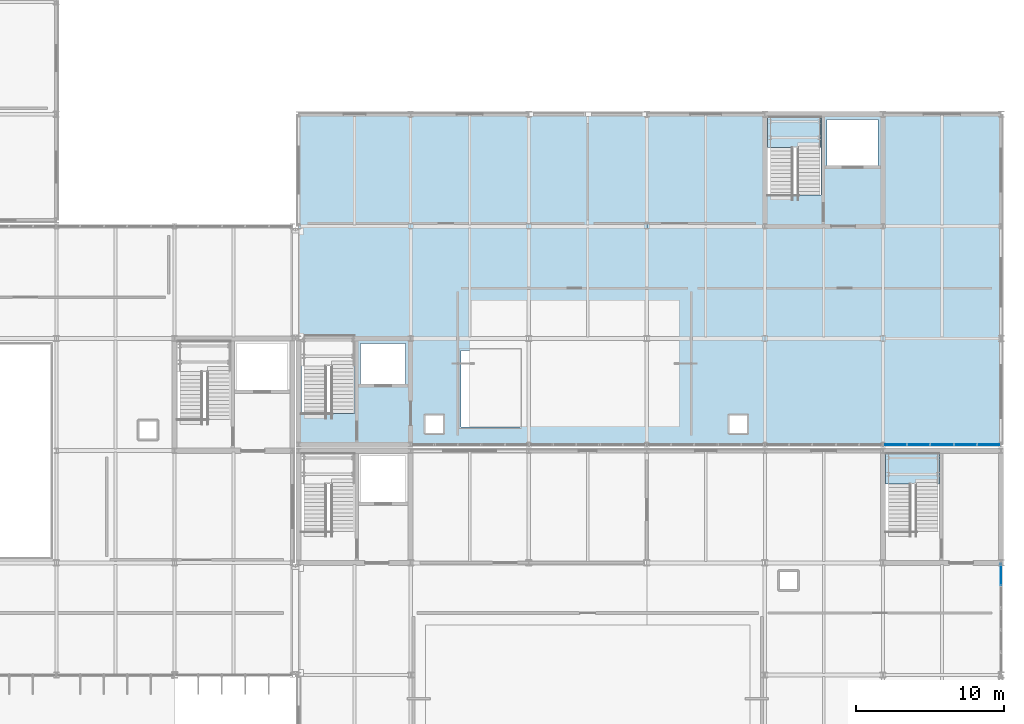
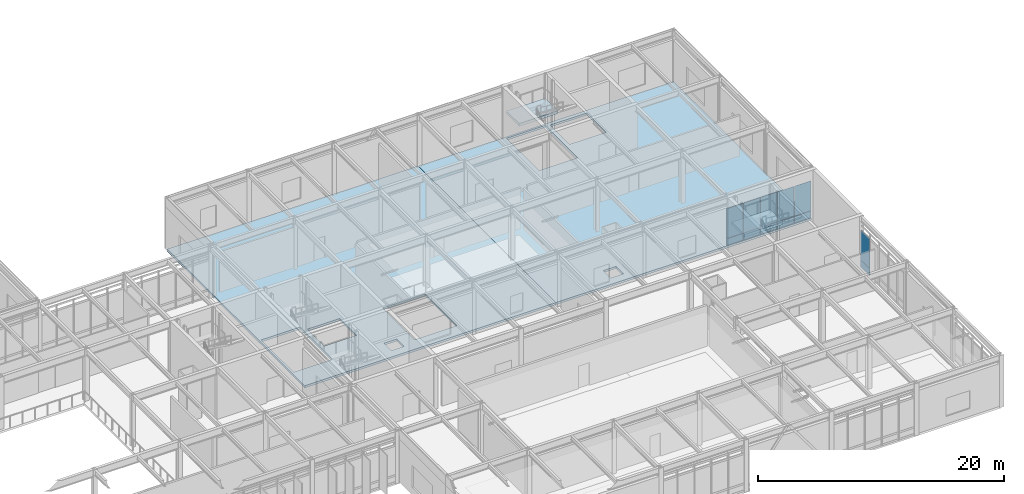
# One storey, part 67 of 94: 12 plates, 4 slabs, 4 elements without a shape of their own.
"""IFC4 building model written with IfcOpenShell, lengths in metres."""

from ifc_helpers import new_model, si_unit, direction, frame, origin, origin_2d, place, context, subcontext, project, spatial, polyline, rectangle, outline, extrude, material, layer, layer_set, type_object, element, aggregate, save


model = new_model("IFC4")

# Units and contexts
model_context = context("Model", 3, precision=1e-05, world=origin(), true_north=direction((0.0, 1.0)))
body_context = subcontext(model_context, "Body", "Model", "MODEL_VIEW")
ifc_project = project(units=[si_unit("LENGTHUNIT", "METRE"), si_unit("AREAUNIT", "SQUARE_METRE"), si_unit("VOLUMEUNIT", "CUBIC_METRE"), si_unit("PLANEANGLEUNIT", "RADIAN"), si_unit("MASSUNIT", "GRAM", prefix="KILO")], contexts=[model_context])

# Site, building, storey
site_placement = place(None, origin())
site = spatial("IfcSite", under=ifc_project, at=site_placement, CompositionType="ELEMENT")
building_placement = place(site_placement, origin())
building = spatial("IfcBuilding", under=site, at=building_placement, Name="Zulena Civic Courthouse", CompositionType="ELEMENT")
storey_placement = place(building_placement, frame((0.0, 0.0, 5.39990234375)))
storey = spatial("IfcBuildingStorey", under=building, at=storey_placement, Name="L01", CompositionType="ELEMENT", Elevation=5.39990234375)

# Curtain wall, plate
ifc_material_1 = material(Name="Double-silver low-E laminated solar-control glass", Category="glass")
curtain_wall_type_1 = type_object("IfcCurtainWallType", Name="CW_7552x4280", PredefinedType="USERDEFINED", material=ifc_material_1)
curtain_wall_1_placement = place(storey_placement, origin())
curtain_wall_1 = element("IfcCurtainWall", 1, at=curtain_wall_1_placement, inside=storey, type_object=curtain_wall_type_1, Name="cw:V1:L01:2:1", ObjectType="UNITISED CURTAIN WALL", PredefinedType="USERDEFINED")
ifc_material_2 = material(Name="Ceramic-fritted insulated spandrel glass", Category="glass")
ifc_layer_1 = layer(ifc_material_2, 0.0458984375)
ifc_layer_set_1 = layer_set([ifc_layer_1], Name="Ceramic-fritted insulated spandrel glass")
plate_type_1 = type_object("IfcPlateType", Name="CWPanel_Spandrel_46", PredefinedType="CURTAIN_PANEL", material=ifc_layer_set_1)
plate_1_placement = place(storey_placement, frame((172.0, 22.020751953125, 0.070068359375), z_axis=(0.0, 0.0, 1.0), x_axis=(0.0, -1.0, 0.0)))
plate_1 = element("IfcPlate", 2, at=plate_1_placement, type_object=plate_type_1, Name="cw:V1:L01:2:1:panS:0", PredefinedType="CURTAIN_PANEL", context=body_context, shape_type="SweptSolid", body=[
    extrude(rectangle(XDim=1.4599609375, YDim=0.0458984375, at=origin_2d()), origin(), (0.0, 0.0, 1.0), 0.669921875),
])

# Curtain wall, plates
curtain_wall_type_2 = type_object("IfcCurtainWallType", Name="CW_7952x4280", PredefinedType="USERDEFINED", material=ifc_material_1)
curtain_wall_2_placement = place(storey_placement, origin())
curtain_wall_2 = element("IfcCurtainWall", 3, at=curtain_wall_2_placement, inside=storey, type_object=curtain_wall_type_2, Name="cw:V3:L01:3:0", ObjectType="UNITISED CURTAIN WALL", PredefinedType="USERDEFINED")
plate_2_placement = place(storey_placement, frame((171.180908203125, 30.800048828125, 0.070068359375), z_axis=(0.0, 0.0, 1.0), x_axis=(-1.0, 0.0, 0.0)))
plate_2 = element("IfcPlate", 4, at=plate_2_placement, type_object=plate_type_1, Name="cw:V3:L01:3:0:panS:0", PredefinedType="CURTAIN_PANEL", context=body_context, shape_type="SweptSolid", body=[
    extrude(rectangle(XDim=1.5400390625, YDim=0.0458984375, at=origin_2d()), origin(), (0.0, 0.0, 1.0), 0.669921875),
])
plate_3_placement = place(storey_placement, frame((169.59033203125, 30.800048828125, 0.070068359375), z_axis=(0.0, 0.0, 1.0), x_axis=(-1.0, 0.0, 0.0)))
plate_3 = element("IfcPlate", 5, at=plate_3_placement, type_object=plate_type_1, Name="cw:V3:L01:3:0:panS:1", PredefinedType="CURTAIN_PANEL", context=body_context, shape_type="SweptSolid", body=[
    extrude(rectangle(XDim=1.5400390625, YDim=0.0458984375, at=origin_2d()), origin(), (0.0, 0.0, 1.0), 0.669921875),
])
plate_4_placement = place(storey_placement, frame((168.0, 30.800048828125, 0.070068359375), z_axis=(0.0, 0.0, 1.0), x_axis=(-1.0, 0.0, 0.0)))
plate_4 = element("IfcPlate", 6, at=plate_4_placement, type_object=plate_type_1, Name="cw:V3:L01:3:0:panS:2", PredefinedType="CURTAIN_PANEL", context=body_context, shape_type="SweptSolid", body=[
    extrude(rectangle(XDim=1.5400390625, YDim=0.0458984375, at=origin_2d()), origin(), (0.0, 0.0, 1.0), 0.669921875),
])
plate_5_placement = place(storey_placement, frame((166.40966796875, 30.800048828125, 0.070068359375), z_axis=(0.0, 0.0, 1.0), x_axis=(-1.0, 0.0, 0.0)))
plate_5 = element("IfcPlate", 7, at=plate_5_placement, type_object=plate_type_1, Name="cw:V3:L01:3:0:panS:3", PredefinedType="CURTAIN_PANEL", context=body_context, shape_type="SweptSolid", body=[
    extrude(rectangle(XDim=1.5400390625, YDim=0.0458984375, at=origin_2d()), origin(), (0.0, 0.0, 1.0), 0.669921875),
])
plate_6_placement = place(storey_placement, frame((164.819091796875, 30.800048828125, 0.070068359375), z_axis=(0.0, 0.0, 1.0), x_axis=(-1.0, 0.0, 0.0)))
plate_6 = element("IfcPlate", 8, at=plate_6_placement, type_object=plate_type_1, Name="cw:V3:L01:3:0:panS:4", PredefinedType="CURTAIN_PANEL", context=body_context, shape_type="SweptSolid", body=[
    extrude(rectangle(XDim=1.5400390625, YDim=0.0458984375, at=origin_2d()), origin(), (0.0, 0.0, 1.0), 0.669921875),
])

# Plate
ifc_layer_2 = layer(ifc_material_1, 0.035888671875)
ifc_layer_set_2 = layer_set([ifc_layer_2], Name="Double-silver low-E laminated solar-control glass")
plate_type_2 = type_object("IfcPlateType", Name="CWPanel_Vision_36", PredefinedType="CURTAIN_PANEL", material=ifc_layer_set_2)
plate_7_placement = place(storey_placement, frame((172.0, 22.020751953125, 0.760009765625), z_axis=(0.0, 0.0, 1.0), x_axis=(0.0, -1.0, 0.0)))
plate_7 = element("IfcPlate", 9, at=plate_7_placement, type_object=plate_type_2, Name="cw:V1:L01:2:1:panV:0", PredefinedType="CURTAIN_PANEL", context=body_context, shape_type="SweptSolid", body=[
    extrude(rectangle(XDim=1.4599609375, YDim=0.035888671875, at=origin_2d()), origin(), (0.0, 0.0, 1.0), 2.9599609375),
])

aggregate(curtain_wall_1, [plate_7, plate_1])

plate_8_placement = place(storey_placement, frame((171.180908203125, 30.800048828125, 0.760009765625), z_axis=(0.0, 0.0, 1.0), x_axis=(-1.0, 0.0, 0.0)))
plate_8 = element("IfcPlate", 10, at=plate_8_placement, type_object=plate_type_2, Name="cw:V3:L01:3:0:panV:0", PredefinedType="CURTAIN_PANEL", context=body_context, shape_type="SweptSolid", body=[
    extrude(rectangle(XDim=1.5400390625, YDim=0.035888671875, at=origin_2d()), origin(), (0.0, 0.0, 1.0), 2.9599609375),
])

plate_9_placement = place(storey_placement, frame((169.59033203125, 30.800048828125, 0.760009765625), z_axis=(0.0, 0.0, 1.0), x_axis=(-1.0, 0.0, 0.0)))
plate_9 = element("IfcPlate", 11, at=plate_9_placement, type_object=plate_type_2, Name="cw:V3:L01:3:0:panV:1", PredefinedType="CURTAIN_PANEL", context=body_context, shape_type="SweptSolid", body=[
    extrude(rectangle(XDim=1.5400390625, YDim=0.035888671875, at=origin_2d()), origin(), (0.0, 0.0, 1.0), 2.9599609375),
])

plate_10_placement = place(storey_placement, frame((168.0, 30.800048828125, 0.760009765625), z_axis=(0.0, 0.0, 1.0), x_axis=(-1.0, 0.0, 0.0)))
plate_10 = element("IfcPlate", 12, at=plate_10_placement, type_object=plate_type_2, Name="cw:V3:L01:3:0:panV:2", PredefinedType="CURTAIN_PANEL", context=body_context, shape_type="SweptSolid", body=[
    extrude(rectangle(XDim=1.5400390625, YDim=0.035888671875, at=origin_2d()), origin(), (0.0, 0.0, 1.0), 2.9599609375),
])

plate_11_placement = place(storey_placement, frame((166.40966796875, 30.800048828125, 0.760009765625), z_axis=(0.0, 0.0, 1.0), x_axis=(-1.0, 0.0, 0.0)))
plate_11 = element("IfcPlate", 13, at=plate_11_placement, type_object=plate_type_2, Name="cw:V3:L01:3:0:panV:3", PredefinedType="CURTAIN_PANEL", context=body_context, shape_type="SweptSolid", body=[
    extrude(rectangle(XDim=1.5400390625, YDim=0.035888671875, at=origin_2d()), origin(), (0.0, 0.0, 1.0), 2.9599609375),
])

plate_12_placement = place(storey_placement, frame((164.819091796875, 30.800048828125, 0.760009765625), z_axis=(0.0, 0.0, 1.0), x_axis=(-1.0, 0.0, 0.0)))
plate_12 = element("IfcPlate", 14, at=plate_12_placement, type_object=plate_type_2, Name="cw:V3:L01:3:0:panV:4", PredefinedType="CURTAIN_PANEL", context=body_context, shape_type="SweptSolid", body=[
    extrude(rectangle(XDim=1.5400390625, YDim=0.035888671875, at=origin_2d()), origin(), (0.0, 0.0, 1.0), 2.9599609375),
])

aggregate(curtain_wall_2, [plate_8, plate_2, plate_9, plate_3, plate_10, plate_4, plate_11, plate_5, plate_12, plate_6])

# Slabs
ifc_material_3 = material(Name="Concrete C35/45", Category="concrete")
ifc_layer_3 = layer(ifc_material_3, 0.215087890625)
ifc_layer_set_3 = layer_set([ifc_layer_3], Name="Concrete C35/45")
slab_type_1 = type_object("IfcSlabType", Name="FloorSlab_215", PredefinedType="FLOOR", material=ifc_layer_set_3)
slab_1_placement = place(storey_placement, frame((0.0, 0.0, -0.21484375)))
element("IfcSlab", 15, at=slab_1_placement, inside=storey, type_object=slab_type_1, Name="slab:V3:L01_1", PredefinedType="FLOOR", context=body_context, shape_type="SweptSolid", body=[
    extrude(outline(polyline([(124.39990234375, 30.800048828125), (124.39990234375, 53.199951171875), (148.0, 53.199951171875), (148.0, 30.800048828125), (124.39990234375, 30.800048828125)]), holes=[polyline([(124.590087890625, 32.919921875), (128.2099609375, 32.919921875), (128.2099609375, 38.2099609375), (124.590087890625, 38.2099609375), (124.590087890625, 32.919921875)]), polyline([(128.60009765625, 37.64990234375), (128.60009765625, 34.89990234375), (131.64990234375, 34.89990234375), (131.64990234375, 37.64990234375), (128.60009765625, 37.64990234375)]), polyline([(133.0, 31.60009765625), (134.199951171875, 31.60009765625), (134.199951171875, 32.800048828125), (133.0, 32.800048828125), (133.0, 31.60009765625)]), polyline([(139.39990234375, 37.199951171875), (135.39990234375, 37.199951171875), (135.39990234375, 32.0), (139.39990234375, 32.0), (139.39990234375, 37.199951171875)])]), origin(), (0.0, 0.0, 1.0), 0.21484375),
])
slab_2_placement = place(storey_placement, frame((0.0, 0.0, -0.21484375)))
element("IfcSlab", 16, at=slab_2_placement, inside=storey, type_object=slab_type_1, Name="slab:V3:L01_2", PredefinedType="FLOOR", context=body_context, shape_type="SweptSolid", body=[
    extrude(outline(polyline([(148.0, 30.800048828125), (148.0, 53.199951171875), (172.0, 53.199951171875), (172.0, 30.800048828125), (148.0, 30.800048828125)]), holes=[polyline([(159.81005859375, 53.010009765625), (156.18994140625, 53.010009765625), (156.18994140625, 47.719970703125), (159.81005859375, 47.719970703125), (159.81005859375, 53.010009765625)]), polyline([(163.64990234375, 49.699951171875), (163.64990234375, 52.85009765625), (160.199951171875, 52.85009765625), (160.199951171875, 49.699951171875), (163.64990234375, 49.699951171875)]), polyline([(153.60009765625, 32.800048828125), (153.60009765625, 31.60009765625), (154.800048828125, 31.60009765625), (154.800048828125, 32.800048828125), (153.60009765625, 32.800048828125)])]), origin(), (0.0, 0.0, 1.0), 0.21484375),
])

# Stair, slab
ifc_material_4 = material(Name="Precast concrete C40/50", Category="concrete")
stair_type = type_object("IfcStairType", Name="HalfTurnStair_5400", PredefinedType="HALF_TURN_STAIR", material=ifc_material_4)
stair_1_placement = place(storey_placement, origin())
stair_1 = element("IfcStair", 17, at=stair_1_placement, inside=storey, type_object=stair_type, Name="stair:K1B:L01", PredefinedType="HALF_TURN_STAIR")
ifc_layer_4 = layer(ifc_material_4, 0.280029296875)
ifc_layer_set_4 = layer_set([ifc_layer_4], Name="Precast concrete C40/50")
slab_type_2 = type_object("IfcSlabType", Name="StairLandingSlab_280", PredefinedType="LANDING", material=ifc_layer_set_4)
slab_3_placement = place(storey_placement, frame((0.0, 0.0, 2.420166015625)))
slab_3 = element("IfcSlab", 18, at=slab_3_placement, type_object=slab_type_2, Name="stair:K1B:L01:LND", PredefinedType="LANDING", context=body_context, shape_type="SweptSolid", body=[
    extrude(outline(polyline([(164.179931640625, 28.149658203125), (167.820068359375, 28.149658203125), (167.820068359375, 30.219970703125), (164.179931640625, 30.219970703125), (164.179931640625, 28.149658203125)])), origin(), (0.0, 0.0, 1.0), 0.280029296875),
])
aggregate(stair_1, [slab_3])

stair_2_placement = place(storey_placement, origin())
stair_2 = element("IfcStair", 19, at=stair_2_placement, inside=storey, type_object=stair_type, Name="stair:K3B:L01", PredefinedType="HALF_TURN_STAIR")
slab_4_placement = place(storey_placement, frame((0.0, 0.0, 2.420166015625)))
slab_4 = element("IfcSlab", 20, at=slab_4_placement, type_object=slab_type_2, Name="stair:K3B:L01:LND", PredefinedType="LANDING", context=body_context, shape_type="SweptSolid", body=[
    extrude(outline(polyline([(156.179931640625, 50.94970703125), (159.820068359375, 50.94970703125), (159.820068359375, 53.02001953125), (156.179931640625, 53.02001953125), (156.179931640625, 50.94970703125)])), origin(), (0.0, 0.0, 1.0), 0.280029296875),
])
aggregate(stair_2, [slab_4])

save(model, "model.ifc")
